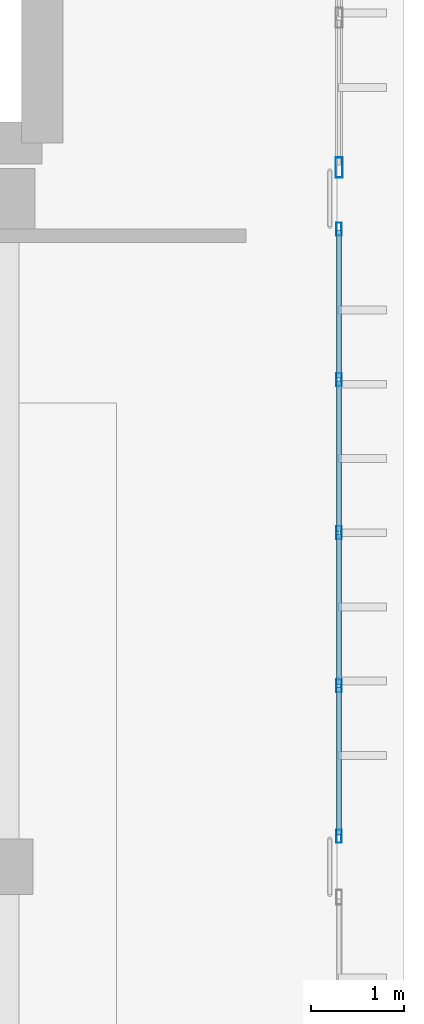
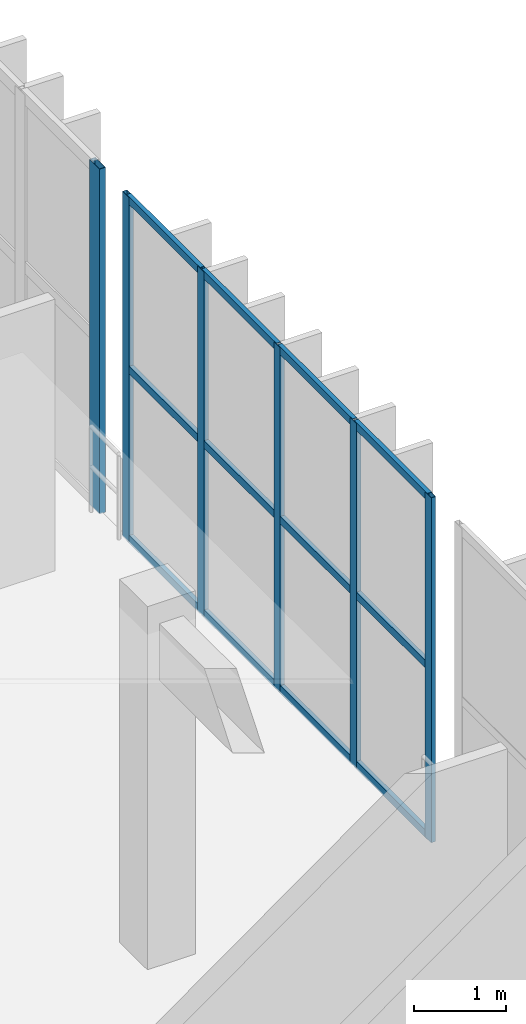
# One storey, part 65 of 105: 18 members, 2 elements without a shape of their own.
"""IFC4 building model written with IfcOpenShell, lengths in metres."""

from ifc_helpers import new_model, si_unit, direction, frame, origin, origin_2d, place, context, subcontext, project, spatial, hollow_rectangle, extrude, material, material_profile, profile_set, type_object, element, aggregate, save


model = new_model("IFC4")

# Units and contexts
model_context = context("Model", 3, precision=1e-05, world=origin(), true_north=direction((0.0, 1.0)))
body_context = subcontext(model_context, "Body", "Model", "MODEL_VIEW")
ifc_project = project(units=[si_unit("LENGTHUNIT", "METRE"), si_unit("AREAUNIT", "SQUARE_METRE"), si_unit("VOLUMEUNIT", "CUBIC_METRE"), si_unit("PLANEANGLEUNIT", "RADIAN"), si_unit("MASSUNIT", "GRAM", prefix="KILO")], contexts=[model_context])

# Site, building, storey
site_placement = place(None, origin())
site = spatial("IfcSite", under=ifc_project, at=site_placement, CompositionType="ELEMENT")
building_placement = place(site_placement, origin())
building = spatial("IfcBuilding", under=site, at=building_placement, Name="Qandorah Velis Arena", CompositionType="ELEMENT")
storey_placement = place(building_placement, frame((0.0, 0.0, 13.800048828125)))
storey = spatial("IfcBuildingStorey", under=building, at=storey_placement, Name="L03", CompositionType="ELEMENT", Elevation=13.800048828125)

# Curtain wall, members
ifc_material_1 = material(Name="Solar-control low-E double glazing", Category="glass")
curtain_wall_type_1 = type_object("IfcCurtainWallType", Name="ARC-CW-SYS12", PredefinedType="USERDEFINED", material=ifc_material_1)
curtain_wall_1_placement = place(storey_placement, origin())
curtain_wall_1 = element("IfcCurtainWall", 1, at=curtain_wall_1_placement, inside=storey, type_object=curtain_wall_type_1, Name="Unitised curtain wall L03-156", ObjectType="UNITISED CURTAIN WALL", PredefinedType="USERDEFINED")
ifc_material_2 = material(Name="Champagne-bronze anodized aluminium 6063-T6", Category="aluminium")
ifc_material_profile_1 = material_profile(ifc_material_2, hollow_rectangle(XDim=0.054931640625, YDim=0.139892578125, WallThickness=0.0029296875, at=origin_2d()), Name="ALU MULLION 55x140")
ifc_profile_set_1 = profile_set([ifc_material_profile_1], Name="Champagne-bronze anodized aluminium 6063-T6")
member_type_1 = type_object("IfcMemberType", Name="ARC-CWM-140", PredefinedType="MULLION", material=ifc_profile_set_1)
member_1_placement = place(storey_placement, frame((169.199951171875, 72.327392578125, -0.01513671875), z_axis=(0.0, 0.0, 1.0), x_axis=(-1.0, 0.0, 0.0)))
member_1 = element("IfcMember", 2, at=member_1_placement, type_object=member_type_1, Name="CW12 mullion 1", PredefinedType="MULLION", context=body_context, shape_type="SweptSolid", body=[
    extrude(hollow_rectangle(XDim=0.054931640625, YDim=0.139892578125, WallThickness=0.0029296875, at=origin_2d()), origin(), (0.0, 0.0, 1.0), 4.56005859375),
])
member_2_placement = place(storey_placement, frame((169.199951171875, 73.949951171875, -0.01513671875), z_axis=(0.0, 0.0, 1.0), x_axis=(-1.0, 0.0, 0.0)))
member_2 = element("IfcMember", 3, at=member_2_placement, type_object=member_type_1, Name="CW12 mullion 2", PredefinedType="MULLION", context=body_context, shape_type="SweptSolid", body=[
    extrude(hollow_rectangle(XDim=0.054931640625, YDim=0.139892578125, WallThickness=0.0029296875, at=origin_2d()), origin(), (0.0, 0.0, 1.0), 4.56005859375),
])
member_3_placement = place(storey_placement, frame((169.199951171875, 75.60009765625, -0.01513671875), z_axis=(0.0, 0.0, 1.0), x_axis=(-1.0, 0.0, 0.0)))
member_3 = element("IfcMember", 4, at=member_3_placement, type_object=member_type_1, Name="CW12 mullion 3", PredefinedType="MULLION", context=body_context, shape_type="SweptSolid", body=[
    extrude(hollow_rectangle(XDim=0.054931640625, YDim=0.139892578125, WallThickness=0.0029296875, at=origin_2d()), origin(), (0.0, 0.0, 1.0), 4.56005859375),
])
member_4_placement = place(storey_placement, frame((169.199951171875, 77.25, -0.01513671875), z_axis=(0.0, 0.0, 1.0), x_axis=(-1.0, 0.0, 0.0)))
member_4 = element("IfcMember", 5, at=member_4_placement, type_object=member_type_1, Name="CW12 mullion 4", PredefinedType="MULLION", context=body_context, shape_type="SweptSolid", body=[
    extrude(hollow_rectangle(XDim=0.054931640625, YDim=0.139892578125, WallThickness=0.0029296875, at=origin_2d()), origin(), (0.0, 0.0, 1.0), 4.56005859375),
])
member_5_placement = place(storey_placement, frame((169.199951171875, 78.87255859375, -0.01513671875), z_axis=(0.0, 0.0, 1.0), x_axis=(-1.0, 0.0, 0.0)))
member_5 = element("IfcMember", 6, at=member_5_placement, type_object=member_type_1, Name="CW12 mullion 5", PredefinedType="MULLION", context=body_context, shape_type="SweptSolid", body=[
    extrude(hollow_rectangle(XDim=0.054931640625, YDim=0.139892578125, WallThickness=0.0029296875, at=origin_2d()), origin(), (0.0, 0.0, 1.0), 4.56005859375),
])

# Curtain wall, member
curtain_wall_type_2 = type_object("IfcCurtainWallType", Name="ARC-CW-SYS13", PredefinedType="USERDEFINED", material=ifc_material_1)
curtain_wall_2_placement = place(storey_placement, origin())
curtain_wall_2 = element("IfcCurtainWall", 7, at=curtain_wall_2_placement, inside=storey, type_object=curtain_wall_type_2, Name="Unitised curtain wall L03-157", ObjectType="UNITISED CURTAIN WALL", PredefinedType="USERDEFINED")
ifc_material_profile_2 = material_profile(ifc_material_2, hollow_rectangle(XDim=0.074951171875, YDim=0.219970703125, WallThickness=0.00390625, at=origin_2d()), Name="ALU MULLION 75x220")
ifc_profile_set_2 = profile_set([ifc_material_profile_2], Name="Champagne-bronze anodized aluminium 6063-T6")
member_type_2 = type_object("IfcMemberType", Name="ARC-CWM-220", PredefinedType="MULLION", material=ifc_profile_set_2)
member_6_placement = place(storey_placement, frame((169.199951171875, 79.53759765625, -0.01513671875), z_axis=(0.0, 0.0, 1.0), x_axis=(-1.0, 0.0, 0.0)))
member_6 = element("IfcMember", 8, at=member_6_placement, type_object=member_type_2, Name="CW13 mullion 1", PredefinedType="MULLION", context=body_context, shape_type="SweptSolid", body=[
    extrude(hollow_rectangle(XDim=0.074951171875, YDim=0.219970703125, WallThickness=0.00390625, at=origin_2d()), origin(), (0.0, 0.0, 1.0), 4.56005859375),
])
aggregate(curtain_wall_2, [member_6])

# Member
ifc_material_profile_3 = material_profile(ifc_material_2, hollow_rectangle(XDim=0.054931640625, YDim=0.10009765625, WallThickness=0.0029296875, at=origin_2d()), Name="ALU TRANSOM 55x100")
ifc_profile_set_3 = profile_set([ifc_material_profile_3], Name="Champagne-bronze anodized aluminium 6063-T6")
member_type_3 = type_object("IfcMemberType", Name="ARC-CWT-100", PredefinedType="USERDEFINED", material=ifc_profile_set_3)
member_7_placement = place(storey_placement, frame((169.199951171875, 72.343017578125, 0.02734375), z_axis=(0.0, 1.0, 0.0), x_axis=(-1.0, 0.0, 0.0)))
member_7 = element("IfcMember", 9, at=member_7_placement, type_object=member_type_3, Name="CW12 transom 1.1", ObjectType="TRANSOM", PredefinedType="USERDEFINED", context=body_context, shape_type="SweptSolid", body=[
    extrude(hollow_rectangle(XDim=0.054931640625, YDim=0.10009765625, WallThickness=0.0029296875, at=origin_2d()), origin(), (0.0, 0.0, 1.0), 1.591552734375),
])

member_8_placement = place(storey_placement, frame((169.199951171875, 72.343017578125, 2.264892578125), z_axis=(0.0, 1.0, 0.0), x_axis=(-1.0, 0.0, 0.0)))
member_8 = element("IfcMember", 10, at=member_8_placement, type_object=member_type_3, Name="CW12 transom 1.2", ObjectType="TRANSOM", PredefinedType="USERDEFINED", context=body_context, shape_type="SweptSolid", body=[
    extrude(hollow_rectangle(XDim=0.054931640625, YDim=0.10009765625, WallThickness=0.0029296875, at=origin_2d()), origin(), (0.0, 0.0, 1.0), 1.591552734375),
])

member_9_placement = place(storey_placement, frame((169.199951171875, 72.343017578125, 4.50244140625), z_axis=(0.0, 1.0, 0.0), x_axis=(-1.0, 0.0, 0.0)))
member_9 = element("IfcMember", 11, at=member_9_placement, type_object=member_type_3, Name="CW12 transom 1.3", ObjectType="TRANSOM", PredefinedType="USERDEFINED", context=body_context, shape_type="SweptSolid", body=[
    extrude(hollow_rectangle(XDim=0.054931640625, YDim=0.10009765625, WallThickness=0.0029296875, at=origin_2d()), origin(), (0.0, 0.0, 1.0), 1.591552734375),
])

member_10_placement = place(storey_placement, frame((169.199951171875, 73.965576171875, 0.02734375), z_axis=(0.0, 1.0, 0.0), x_axis=(-1.0, 0.0, 0.0)))
member_10 = element("IfcMember", 12, at=member_10_placement, type_object=member_type_3, Name="CW12 transom 2.1", ObjectType="TRANSOM", PredefinedType="USERDEFINED", context=body_context, shape_type="SweptSolid", body=[
    extrude(hollow_rectangle(XDim=0.054931640625, YDim=0.10009765625, WallThickness=0.0029296875, at=origin_2d()), origin(), (0.0, 0.0, 1.0), 1.618896484375),
])

member_11_placement = place(storey_placement, frame((169.199951171875, 73.965576171875, 2.264892578125), z_axis=(0.0, 1.0, 0.0), x_axis=(-1.0, 0.0, 0.0)))
member_11 = element("IfcMember", 13, at=member_11_placement, type_object=member_type_3, Name="CW12 transom 2.2", ObjectType="TRANSOM", PredefinedType="USERDEFINED", context=body_context, shape_type="SweptSolid", body=[
    extrude(hollow_rectangle(XDim=0.054931640625, YDim=0.10009765625, WallThickness=0.0029296875, at=origin_2d()), origin(), (0.0, 0.0, 1.0), 1.618896484375),
])

member_12_placement = place(storey_placement, frame((169.199951171875, 73.965576171875, 4.50244140625), z_axis=(0.0, 1.0, 0.0), x_axis=(-1.0, 0.0, 0.0)))
member_12 = element("IfcMember", 14, at=member_12_placement, type_object=member_type_3, Name="CW12 transom 2.3", ObjectType="TRANSOM", PredefinedType="USERDEFINED", context=body_context, shape_type="SweptSolid", body=[
    extrude(hollow_rectangle(XDim=0.054931640625, YDim=0.10009765625, WallThickness=0.0029296875, at=origin_2d()), origin(), (0.0, 0.0, 1.0), 1.618896484375),
])

member_13_placement = place(storey_placement, frame((169.199951171875, 75.615478515625, 0.02734375), z_axis=(0.0, 1.0, 0.0), x_axis=(-1.0, 0.0, 0.0)))
member_13 = element("IfcMember", 15, at=member_13_placement, type_object=member_type_3, Name="CW12 transom 3.1", ObjectType="TRANSOM", PredefinedType="USERDEFINED", context=body_context, shape_type="SweptSolid", body=[
    extrude(hollow_rectangle(XDim=0.054931640625, YDim=0.10009765625, WallThickness=0.0029296875, at=origin_2d()), origin(), (0.0, 0.0, 1.0), 1.619140625),
])

member_14_placement = place(storey_placement, frame((169.199951171875, 75.615478515625, 2.264892578125), z_axis=(0.0, 1.0, 0.0), x_axis=(-1.0, 0.0, 0.0)))
member_14 = element("IfcMember", 16, at=member_14_placement, type_object=member_type_3, Name="CW12 transom 3.2", ObjectType="TRANSOM", PredefinedType="USERDEFINED", context=body_context, shape_type="SweptSolid", body=[
    extrude(hollow_rectangle(XDim=0.054931640625, YDim=0.10009765625, WallThickness=0.0029296875, at=origin_2d()), origin(), (0.0, 0.0, 1.0), 1.619140625),
])

member_15_placement = place(storey_placement, frame((169.199951171875, 75.615478515625, 4.50244140625), z_axis=(0.0, 1.0, 0.0), x_axis=(-1.0, 0.0, 0.0)))
member_15 = element("IfcMember", 17, at=member_15_placement, type_object=member_type_3, Name="CW12 transom 3.3", ObjectType="TRANSOM", PredefinedType="USERDEFINED", context=body_context, shape_type="SweptSolid", body=[
    extrude(hollow_rectangle(XDim=0.054931640625, YDim=0.10009765625, WallThickness=0.0029296875, at=origin_2d()), origin(), (0.0, 0.0, 1.0), 1.619140625),
])

member_16_placement = place(storey_placement, frame((169.199951171875, 77.265380859375, 0.02734375), z_axis=(0.0, 1.0, 0.0), x_axis=(-1.0, 0.0, 0.0)))
member_16 = element("IfcMember", 18, at=member_16_placement, type_object=member_type_3, Name="CW12 transom 4.1", ObjectType="TRANSOM", PredefinedType="USERDEFINED", context=body_context, shape_type="SweptSolid", body=[
    extrude(hollow_rectangle(XDim=0.054931640625, YDim=0.10009765625, WallThickness=0.0029296875, at=origin_2d()), origin(), (0.0, 0.0, 1.0), 1.591552734375),
])

member_17_placement = place(storey_placement, frame((169.199951171875, 77.265380859375, 2.264892578125), z_axis=(0.0, 1.0, 0.0), x_axis=(-1.0, 0.0, 0.0)))
member_17 = element("IfcMember", 19, at=member_17_placement, type_object=member_type_3, Name="CW12 transom 4.2", ObjectType="TRANSOM", PredefinedType="USERDEFINED", context=body_context, shape_type="SweptSolid", body=[
    extrude(hollow_rectangle(XDim=0.054931640625, YDim=0.10009765625, WallThickness=0.0029296875, at=origin_2d()), origin(), (0.0, 0.0, 1.0), 1.591552734375),
])

member_18_placement = place(storey_placement, frame((169.199951171875, 77.265380859375, 4.50244140625), z_axis=(0.0, 1.0, 0.0), x_axis=(-1.0, 0.0, 0.0)))
member_18 = element("IfcMember", 20, at=member_18_placement, type_object=member_type_3, Name="CW12 transom 4.3", ObjectType="TRANSOM", PredefinedType="USERDEFINED", context=body_context, shape_type="SweptSolid", body=[
    extrude(hollow_rectangle(XDim=0.054931640625, YDim=0.10009765625, WallThickness=0.0029296875, at=origin_2d()), origin(), (0.0, 0.0, 1.0), 1.591552734375),
])

aggregate(curtain_wall_1, [member_1, member_2, member_3, member_4, member_5, member_7, member_8, member_9, member_10, member_11, member_12, member_13, member_14, member_15, member_16, member_17, member_18])

save(model, "model.ifc")
